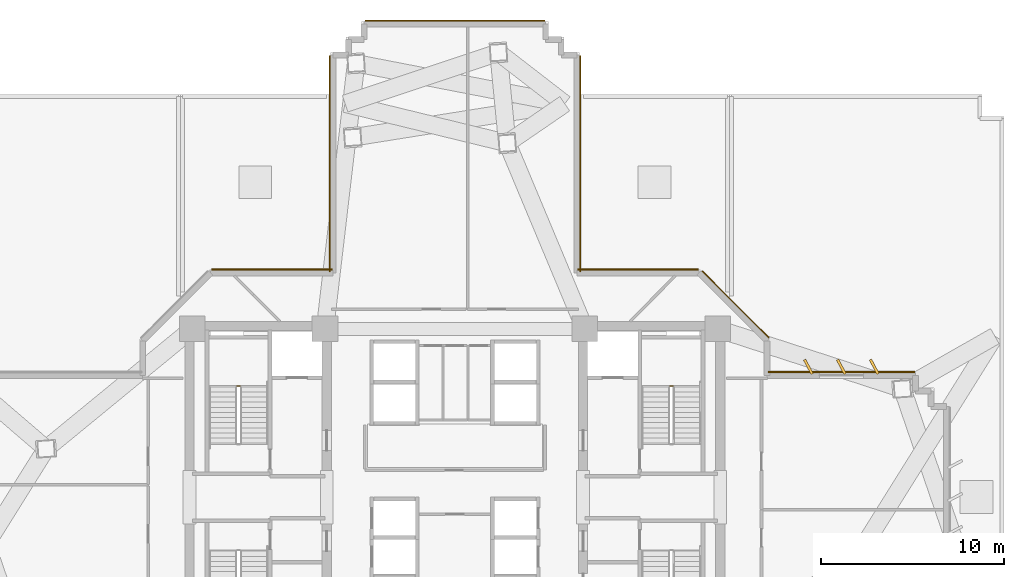
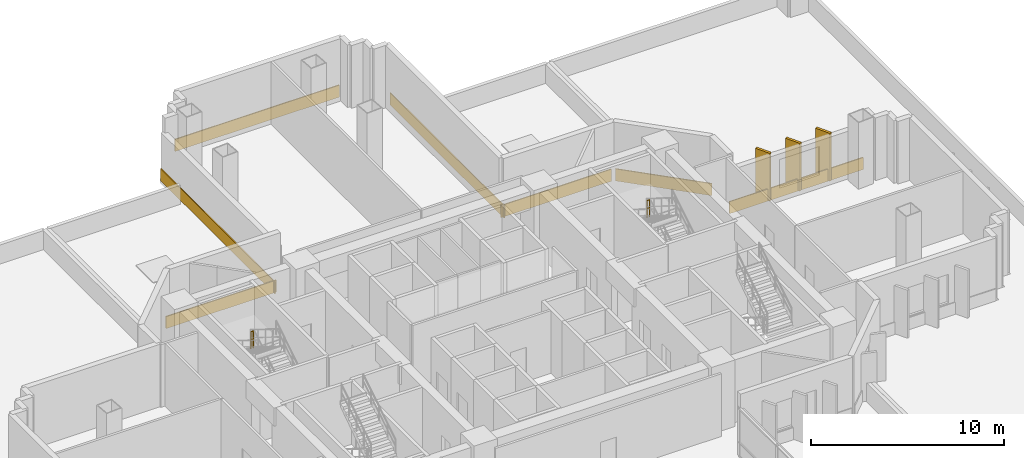
# One storey, part 15 of 15: 7 coverings, 3 shading devices, 2 railings.
"""IFC4 building model written with IfcOpenShell, lengths in metres."""

import ifcopenshell
import ifcopenshell.guid

model = None  # the IFC model being written
_history = None  # IfcOwnerHistory: only IFC2X3 demands one
_inside = {}  # id of a spatial element -> (the spatial element, [elements in it])
_under = {}  # id of a project, library or spatial element -> (it, [spatial elements below it])
_declared = {}  # id of a project -> (the project, [libraries it declares])
_typed = {}  # id of a type object -> (the type object, [elements of that type])
_made_of = {}  # id of a material, layer set ... -> (it, [elements and type objects made of it])


def new_model(schema):
    """Start an empty IFC model of exactly this schema.

    Asked for "IFC4X3", IfcOpenShell would pick the latest addendum, in which some entities
    have other attributes; the version numbers below select the first issue.
    IFC2X3 requires an IfcOwnerHistory on every rooted entity: one is made here for all.
    """
    global model, _history
    if schema == "IFC4X3":
        model = ifcopenshell.file(schema_version=(4, 3, 0, 0))
    else:
        model = ifcopenshell.file(schema=schema)
    _inside.clear()
    _under.clear()
    _declared.clear()
    _typed.clear()
    _made_of.clear()
    _history = None
    if model.schema == "IFC2X3":
        org = make("IfcOrganization", Name="unknown")
        user = make(
            "IfcPersonAndOrganization",
            ThePerson=make("IfcPerson", FamilyName="unknown"),
            TheOrganization=org,
        )
        app = make(
            "IfcApplication",
            ApplicationDeveloper=org,
            Version="unknown",
            ApplicationFullName="unknown",
            ApplicationIdentifier="unknown",
        )
        _history = make(
            "IfcOwnerHistory",
            OwningUser=user,
            OwningApplication=app,
            ChangeAction="ADDED",
            CreationDate=0,
        )
    return model


def make(cls, **values):
    """One entity of the class cls with the attributes given. An attribute that is None is left unset."""
    return model.create_entity(
        cls, **{name: value for name, value in values.items() if value is not None}
    )


def rooted(cls, **values):
    """An entity with a GlobalId (a new one), such as an element, a storey or a relation."""
    return make(cls, GlobalId=ifcopenshell.guid.new(), OwnerHistory=_history, **values)


def si_unit(unit_type, name, prefix=None):
    """IfcSIUnit, for example si_unit("LENGTHUNIT", "METRE", prefix="MILLI")."""
    return make("IfcSIUnit", UnitType=unit_type, Prefix=prefix, Name=name)


def assignment(units):
    """IfcUnitAssignment: the units of a project."""
    return None if units is None else make("IfcUnitAssignment", Units=units)


def point(xyz):
    """IfcCartesianPoint."""
    return None if xyz is None else make("IfcCartesianPoint", Coordinates=xyz)


def direction(xyz):
    """IfcDirection."""
    return None if xyz is None else make("IfcDirection", DirectionRatios=xyz)


def frame(location, z_axis=None, x_axis=None):
    """IfcAxis2Placement3D, a coordinate frame: its origin and axes. An axis left out is left unset."""
    return make(
        "IfcAxis2Placement3D",
        Location=point(location),
        Axis=direction(z_axis),
        RefDirection=direction(x_axis),
    )


def frame_2d(location, x_axis=None):
    """IfcAxis2Placement2D, a coordinate frame in the plane: its origin and x axis."""
    return make(
        "IfcAxis2Placement2D", Location=point(location), RefDirection=direction(x_axis)
    )


def origin():
    """The frame at (0, 0, 0) with its axes left unset."""
    return frame((0.0, 0.0, 0.0))


def origin_2d():
    """The frame at (0, 0) in the plane with its x axis left unset."""
    return frame_2d((0.0, 0.0))


def place(relative_to, where):
    """IfcLocalPlacement: puts the frame where relative to a parent placement (None: the world)."""
    return make(
        "IfcLocalPlacement", PlacementRelTo=relative_to, RelativePlacement=where
    )


def context(
    kind, dimensions, precision=None, world=None, true_north=None, identifier=None
):
    """IfcGeometricRepresentationContext, for example the 3D "Model" context."""
    return make(
        "IfcGeometricRepresentationContext",
        ContextIdentifier=identifier,
        ContextType=kind,
        CoordinateSpaceDimension=dimensions,
        Precision=precision,
        WorldCoordinateSystem=world,
        TrueNorth=true_north,
    )


def subcontext(parent, identifier, kind, view, scale=None):
    """IfcGeometricRepresentationSubContext, for example "Body" below "Model"."""
    return make(
        "IfcGeometricRepresentationSubContext",
        ContextIdentifier=identifier,
        ContextType=kind,
        ParentContext=parent,
        TargetScale=scale,
        TargetView=view,
    )


def project(units=None, contexts=None):
    """IfcProject with its units and contexts."""
    return rooted(
        "IfcProject",
        Name="project",
        RepresentationContexts=contexts,
        UnitsInContext=assignment(units),
    )


def spatial(cls, under=None, at=None, **own):
    """A site, building, storey or space (cls), placed at a placement, below another one or the project."""
    s = rooted(cls, ObjectPlacement=at, **own)
    if under is not None:
        _under.setdefault(under.id(), (under, []))[1].append(s)
    return s


def profile(cls, at=None, kind="AREA", **sizes):
    """A parametric profile (cls). Its sizes go by their IFC names, for example OverallWidth=200.0."""
    return make(cls, ProfileType=kind, Position=at, **sizes)


def rectangle(**sizes):
    """IfcRectangleProfileDef."""
    return profile("IfcRectangleProfileDef", **sizes)


def extrude(swept, where, along, depth):
    """IfcExtrudedAreaSolid: the profile swept, set in the frame where, extruded along a direction by depth."""
    return make(
        "IfcExtrudedAreaSolid",
        SweptArea=swept,
        Position=where,
        ExtrudedDirection=direction(along),
        Depth=depth,
    )


def shape(context_of_items, identifier, shape_type, items):
    """IfcShapeRepresentation: the items that make up one representation, for example the "Body"."""
    return make(
        "IfcShapeRepresentation",
        ContextOfItems=context_of_items,
        RepresentationIdentifier=identifier,
        RepresentationType=shape_type,
        Items=items,
    )


def source(mapping_origin, context_of_items, identifier, shape_type, items):
    """IfcRepresentationMap: a shape defined once, which mapped items show again and again."""
    return make(
        "IfcRepresentationMap",
        MappingOrigin=mapping_origin,
        MappedRepresentation=shape(context_of_items, identifier, shape_type, items),
    )


def transform(
    local_origin,
    x_axis=None,
    y_axis=None,
    z_axis=None,
    scale=None,
    scale2=None,
    scale3=None,
    uniform=True,
):
    """IfcCartesianTransformationOperator3D, or its non-uniform kind. x_axis, y_axis, z_axis: its Axis1, 2, 3."""
    if uniform:
        return make(
            "IfcCartesianTransformationOperator3D",
            Axis1=direction(x_axis),
            Axis2=direction(y_axis),
            LocalOrigin=point(local_origin),
            Scale=scale,
            Axis3=direction(z_axis),
        )
    return make(
        "IfcCartesianTransformationOperator3DnonUniform",
        Axis1=direction(x_axis),
        Axis2=direction(y_axis),
        LocalOrigin=point(local_origin),
        Scale=scale,
        Axis3=direction(z_axis),
        Scale2=scale2,
        Scale3=scale3,
    )


def mapped(mapping_source, mapping_target):
    """IfcMappedItem: shows the shape of a source again, moved by a transform."""
    return make(
        "IfcMappedItem", MappingSource=mapping_source, MappingTarget=mapping_target
    )


def material(Name=None, Category=None):
    """IfcMaterial."""
    return make("IfcMaterial", Name=Name, Category=Category)


def layer(
    of_material, thickness, ventilated=None, Name=None, Category=None, Priority=None
):
    """IfcMaterialLayer: one layer of a wall or slab, of a material (None: an air gap)."""
    return make(
        "IfcMaterialLayer",
        Material=of_material,
        LayerThickness=thickness,
        IsVentilated=ventilated,
        Name=Name,
        Category=Category,
        Priority=Priority,
    )


def layer_set(layers, Name=None):
    """IfcMaterialLayerSet."""
    return make("IfcMaterialLayerSet", MaterialLayers=layers, LayerSetName=Name)


def made_of(thing, what):
    """Note that an element or type object is made of a material, layer set ...; save() writes the relation."""
    if what is not None:
        _made_of.setdefault(what.id(), (what, []))[1].append(thing)
    return thing


def type_object(cls, material=None, **own):
    """A type object (cls), such as IfcWallType, which elements share."""
    return made_of(rooted(cls, **own), material)


def element(
    cls,
    number,
    at=None,
    inside=None,
    cuts=None,
    type_object=None,
    material=None,
    context=None,
    identifier="Body",
    shape_type=None,
    held_by="IfcProductDefinitionShape",
    body=None,
    shapes=None,
    **own,
):
    """One element of the class cls, such as IfcWall. Its Tag is "e" and its number.

    at: its placement. inside: the storey or other place that contains it. cuts: it is an
    opening in that element (IfcRelVoidsElement). A single representation is given by context,
    identifier, shape_type and body (its items); several are given by shapes. held_by: the class
    of the entity that holds the representations. save() writes the other relations.
    """
    e = rooted(cls, Tag="e%d" % number, ObjectPlacement=at, **own)
    if body is not None:
        shapes = [shape(context, identifier, shape_type, body)]
    if shapes is not None:
        e.Representation = make(held_by, Representations=shapes)
    if inside is not None:
        _inside.setdefault(inside.id(), (inside, []))[1].append(e)
    if cuts is not None:
        rooted(
            "IfcRelVoidsElement", RelatingBuildingElement=cuts, RelatedOpeningElement=e
        )
    if type_object is not None:
        _typed.setdefault(type_object.id(), (type_object, []))[1].append(e)
    return made_of(e, material)


def aggregate(whole, parts):
    """IfcRelAggregates: a whole, such as a stair, and the parts it consists of."""
    return rooted("IfcRelAggregates", RelatingObject=whole, RelatedObjects=parts)


def save(model, path):
    """Write the relations noted so far, then the file.

    IfcRelAggregates (storeys below a building ...), IfcRelContainedInSpatialStructure (elements
    in a storey), IfcRelDefinesByType, IfcRelAssociatesMaterial and IfcRelDeclares: one each for
    every whole, place, type object, material and project.
    """
    for whole, parts in _under.values():
        aggregate(whole, parts)
    for where, things in _inside.values():
        rooted(
            "IfcRelContainedInSpatialStructure",
            RelatedElements=things,
            RelatingStructure=where,
        )
    for kind, things in _typed.values():
        rooted("IfcRelDefinesByType", RelatedObjects=things, RelatingType=kind)
    for what, things in _made_of.values():
        rooted("IfcRelAssociatesMaterial", RelatedObjects=things, RelatingMaterial=what)
    for by, libraries in _declared.values():
        rooted("IfcRelDeclares", RelatingContext=by, RelatedDefinitions=libraries)
    model.write(path)


model = new_model("IFC4")

# Units and contexts
model_context = context("Model", 3, precision=1e-05, world=origin(), true_north=direction((0.0, 1.0)))
body_context = subcontext(model_context, "Body", "Model", "MODEL_VIEW")
ifc_project = project(units=[si_unit("LENGTHUNIT", "METRE"), si_unit("AREAUNIT", "SQUARE_METRE"), si_unit("VOLUMEUNIT", "CUBIC_METRE"), si_unit("PLANEANGLEUNIT", "RADIAN"), si_unit("MASSUNIT", "GRAM", prefix="KILO")], contexts=[model_context])

# Site, building, storey
site_placement = place(None, origin())
site = spatial("IfcSite", under=ifc_project, at=site_placement, CompositionType="ELEMENT")
building_placement = place(site_placement, origin())
building = spatial("IfcBuilding", under=site, at=building_placement, Name="Zahravan Cultural Tower", CompositionType="ELEMENT")
storey_placement = place(building_placement, frame((0.0, 0.0, 29.10009765625)))
storey = spatial("IfcBuildingStorey", under=building, at=storey_placement, Name="L05", CompositionType="ELEMENT", Elevation=29.10009765625)

# Railings
ifc_material_1 = material(Name="Steel ASTM A572 Grade 50", Category="steel")
railing_type = type_object("IfcRailingType", Name="RL-STAIR-GRD1150", PredefinedType="BALUSTRADE", material=ifc_material_1)
for number, where, name in (
    (1, (24.25, 33.080078125, 2.099853515625), "L05 ST-W1 stair guard 2"),
    (2, (47.89990234375, 33.080078125, 2.099853515625), "L05 ST-E1 stair guard 2"),
):
    element("IfcRailing", number, at=place(storey_placement, frame(where)), inside=storey, type_object=railing_type, Name=name, PredefinedType="BALUSTRADE", context=body_context, shape_type="SweptSolid", body=[
        extrude(rectangle(XDim=0.05, YDim=0.05, at=origin_2d()), frame((0.0, 0.0, 1.0751953125), z_axis=(-1.0, 0.0, 0.0), x_axis=(0.0, -1.0, 0.0)), (0.0, 0.0, 1.0), 0.14990234375),
        extrude(rectangle(XDim=0.032, YDim=0.032, at=origin_2d()), frame((0.0, 0.0, 0.572021484375), z_axis=(-1.0, 0.0, 0.0), x_axis=(0.0, -1.0, 0.0)), (0.0, 0.0, 1.0), 0.14990234375),
        extrude(rectangle(XDim=0.04, YDim=0.04, at=origin_2d()), origin(), (0.0, 0.0, 1.0), 1.10009765625),
        extrude(rectangle(XDim=0.04, YDim=0.04, at=origin_2d()), frame((-0.14990234375, 0.0, 0.0)), (0.0, 0.0, 1.0), 1.10009765625),
    ])

# Covering
ifc_material_2 = material(Name="Terracotta ceramic cladding", Category="masonry")
ifc_layer = layer(ifc_material_2, 0.06005859375)
ifc_layer_set = layer_set([ifc_layer], Name="Terracotta ceramic cladding")
covering_type = type_object("IfcCoveringType", Name="COV-CLAD-TC60", PredefinedType="CLADDING", material=ifc_layer_set)
shared_shape_1 = source(origin(), body_context, "Body", "SweptSolid", [
    extrude(rectangle(XDim=8.0, YDim=0.06005859375, at=origin_2d()), origin(), (0.0, 0.0, 1.0), 0.760009765625),
])
covering_1_placement = place(storey_placement, frame((57.110107421875, 33.844970703125, 0.02001953125), z_axis=(0.0, 0.0, 1.0), x_axis=(1.0, 0.0, 0.0)))
element("IfcCovering", 3, at=covering_1_placement, inside=storey, type_object=covering_type, Name="L05 Terracotta Spandrel Cladding 01", PredefinedType="CLADDING", context=body_context, shape_type="MappedRepresentation", body=[
    mapped(shared_shape_1, transform((0.0, 0.0, 0.0), x_axis=(1.0, 0.0, 0.0), y_axis=(0.0, 1.0, 0.0), z_axis=(0.0, 0.0, 1.0), scale=1.0)),
])

# Shading devices
ifc_material_3 = material(Name="Architectural terracotta fin", Category="masonry")
shading_device_type = type_object("IfcShadingDeviceType", Name="SHD-FIN-880", PredefinedType="USERDEFINED", material=ifc_material_3)
shared_shape_2 = source(origin(), body_context, "Body", "SweptSolid", [
    extrude(rectangle(XDim=0.8798828125, YDim=0.139892578125, at=origin_2d()), origin(), (0.0, 0.0, 1.0), 3.030029296875),
])
for number, where, z_axis, x_axis, name in (
    (4, (55.31005859375, 34.1298828125, 0.0498046875), (0.0, 0.0, 1.0), (-0.469471562786, 0.882947592859, 0.0), "L05 Herringbone Terracotta Fin 01"),
    (5, (57.110107421875, 34.1298828125, 0.0498046875), (0.0, 0.0, 1.0), (-0.469471562786, 0.882947592859, 0.0), "L05 Herringbone Terracotta Fin 02"),
    (6, (58.909912109375, 34.1298828125, 0.0498046875), (0.0, 0.0, 1.0), (-0.469471562786, 0.882947592859, 0.0), "L05 Herringbone Terracotta Fin 03"),
):
    element("IfcShadingDevice", number, at=place(storey_placement, frame(where, z_axis=z_axis, x_axis=x_axis)), inside=storey, type_object=shading_device_type, Name=name, ObjectType="FIN", PredefinedType="USERDEFINED", context=body_context, shape_type="MappedRepresentation", body=[
        mapped(shared_shape_2, transform((0.0, 0.0, 0.0), x_axis=(1.0, 0.0, 0.0), y_axis=(0.0, 1.0, 0.0), z_axis=(0.0, 0.0, 1.0), scale=1.0)),
    ])

# Coverings
shared_shape_3 = source(origin(), body_context, "Body", "SweptSolid", [
    extrude(rectangle(XDim=9.820068359375, YDim=0.06005859375, at=origin_2d()), origin(), (0.0, 0.0, 1.0), 0.760009765625),
])
covering_2_placement = place(storey_placement, frame((36.0, 53.044921875, 0.02001953125), z_axis=(0.0, 0.0, 1.0), x_axis=(1.0, 0.0, 0.0)))
element("IfcCovering", 7, at=covering_2_placement, inside=storey, type_object=covering_type, Name="L05 Terracotta Spandrel Cladding 46", PredefinedType="CLADDING", context=body_context, shape_type="MappedRepresentation", body=[
    mapped(shared_shape_3, transform((0.0, 0.0, 0.0), x_axis=(1.0, 0.0, 0.0), y_axis=(0.0, 1.0, 0.0), z_axis=(0.0, 0.0, 1.0), scale=1.0)),
])
shared_shape_4 = source(origin(), body_context, "Body", "SweptSolid", [
    extrude(rectangle(XDim=5.157958984375, YDim=0.06005859375, at=origin_2d()), origin(), (0.0, 0.0, 1.0), 0.760009765625),
])
covering_3_placement = place(storey_placement, frame((51.331787109375, 37.53173828125, 0.02001953125), z_axis=(0.0, 0.0, 1.0), x_axis=(0.707106781187, -0.707106781187, 0.0)))
element("IfcCovering", 8, at=covering_3_placement, inside=storey, type_object=covering_type, Name="L05 Terracotta Spandrel Cladding 53", PredefinedType="CLADDING", context=body_context, shape_type="MappedRepresentation", body=[
    mapped(shared_shape_4, transform((0.0, 0.0, 0.0), x_axis=(1.0, 0.0, 0.0), y_axis=(0.0, 1.0, 0.0), z_axis=(0.0, 0.0, 1.0), scale=1.0)),
])
shared_shape_5 = source(origin(), body_context, "Body", "SweptSolid", [
    extrude(rectangle(XDim=6.58203125, YDim=0.06005859375, at=origin_2d()), origin(), (0.0, 0.0, 1.0), 0.760009765625),
])
for number, where, z_axis, x_axis, name in (
    (9, (25.9990234375, 39.445068359375, 0.02001953125), (0.0, 0.0, 1.0), (1.0, 0.0, 0.0), "L05 Terracotta Spandrel Cladding 40"),
    (10, (46.0009765625, 39.445068359375, 0.02001953125), (0.0, 0.0, 1.0), (1.0, 0.0, 0.0), "L05 Terracotta Spandrel Cladding 52"),
):
    element("IfcCovering", number, at=place(storey_placement, frame(where, z_axis=z_axis, x_axis=x_axis)), inside=storey, type_object=covering_type, Name=name, PredefinedType="CLADDING", context=body_context, shape_type="MappedRepresentation", body=[
        mapped(shared_shape_5, transform((0.0, 0.0, 0.0), x_axis=(1.0, 0.0, 0.0), y_axis=(0.0, 1.0, 0.0), z_axis=(0.0, 0.0, 1.0), scale=1.0)),
    ])
shared_shape_6 = source(origin(), body_context, "Body", "SweptSolid", [
    extrude(rectangle(XDim=11.800048828125, YDim=0.06005859375, at=origin_2d()), origin(), (0.0, 0.0, 1.0), 0.760009765625),
])
for number, where, z_axis, x_axis, name in (
    (11, (29.155029296875, 45.2099609375, 0.02001953125), (0.0, 0.0, 1.0), (0.0, 1.0, 0.0), "L05 Terracotta Spandrel Cladding 41"),
    (12, (42.844970703125, 45.2099609375, 0.02001953125), (0.0, 0.0, 1.0), (0.0, -1.0, 0.0), "L05 Terracotta Spandrel Cladding 51"),
):
    element("IfcCovering", number, at=place(storey_placement, frame(where, z_axis=z_axis, x_axis=x_axis)), inside=storey, type_object=covering_type, Name=name, PredefinedType="CLADDING", context=body_context, shape_type="MappedRepresentation", body=[
        mapped(shared_shape_6, transform((0.0, 0.0, 0.0), x_axis=(1.0, 0.0, 0.0), y_axis=(0.0, 1.0, 0.0), z_axis=(0.0, 0.0, 1.0), scale=1.0)),
    ])

save(model, "model.ifc")
